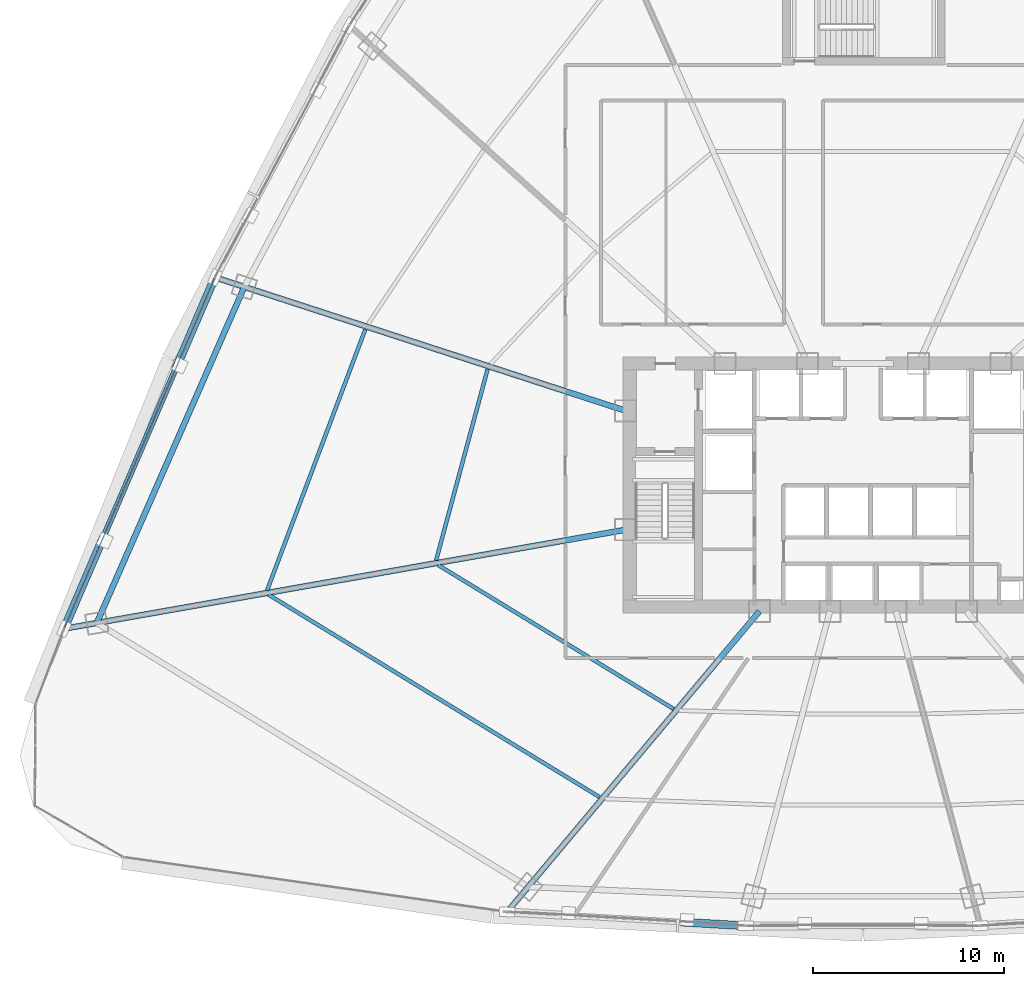
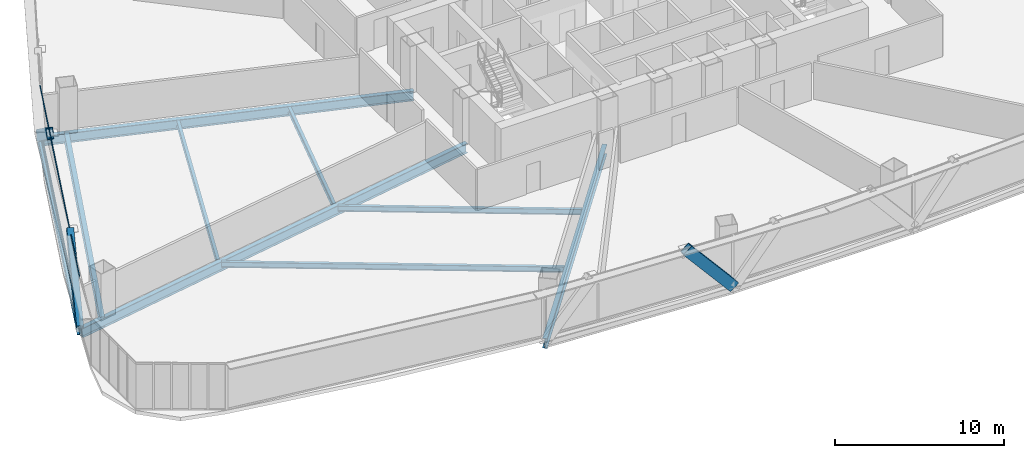
# One storey, part 7 of 42: 9 beams, 5 members, 1 element without a shape of its own.
"""IFC4 building model written with IfcOpenShell, lengths in metres."""

from ifc_helpers import new_model, si_unit, direction, frame, origin, origin_2d, place, context, subcontext, project, spatial, hollow_rectangle, i_section, extrude, source, transform, mapped, material, layer, layer_set, material_profile, profile_set, type_object, element, aggregate, save


model = new_model("IFC4")

# Units and contexts
model_context = context("Model", 3, precision=1e-05, world=origin(), true_north=direction((0.0, 1.0)))
body_context = subcontext(model_context, "Body", "Model", "MODEL_VIEW")
ifc_project = project(units=[si_unit("LENGTHUNIT", "METRE"), si_unit("AREAUNIT", "SQUARE_METRE"), si_unit("VOLUMEUNIT", "CUBIC_METRE"), si_unit("PLANEANGLEUNIT", "RADIAN"), si_unit("MASSUNIT", "GRAM", prefix="KILO"), si_unit("THERMODYNAMICTEMPERATUREUNIT", "KELVIN"), si_unit("POWERUNIT", "WATT")], contexts=[model_context])

# Site, building, storey
site_placement = place(None, origin())
site = spatial("IfcSite", under=ifc_project, at=site_placement, CompositionType="ELEMENT")
building_placement = place(site_placement, origin())
building = spatial("IfcBuilding", under=site, at=building_placement, Name="Yunzhuo Pagoda Commons", CompositionType="ELEMENT")
storey_placement = place(building_placement, frame((0.0, 0.0, 48.550048828125)))
storey = spatial("IfcBuildingStorey", under=building, at=storey_placement, Name="L12", CompositionType="ELEMENT", Elevation=48.550048828125)

# Beams
ifc_material_1 = material(Name="Structural steel Q355B", Category="steel")
ifc_material_profile_1 = material_profile(ifc_material_1, i_section(OverallWidth=0.300048828125, OverallDepth=0.699951171875, WebThickness=0.012939453125, FlangeThickness=0.02392578125, at=origin_2d()), Name="Structural steel Q355B")
ifc_profile_set_1 = profile_set([ifc_material_profile_1], Name="Structural steel Q355B")
beam_type_1 = type_object("IfcBeamType", Name="B-RG1 Beam HN 700x300x13x24", PredefinedType="BEAM", material=ifc_profile_set_1)
shared_shape_1 = source(origin(), body_context, "Body", "SweptSolid", [
    extrude(i_section(OverallWidth=0.300048828125, OverallDepth=0.699951171875, WebThickness=0.012939453125, FlangeThickness=0.02392578125, at=origin_2d()), origin(), (0.0, 0.0, 1.0), 19.18603515625),
])
beam_1_placement = place(storey_placement, frame((15.66455078125, 44.206298828125, -0.610107421875), z_axis=(-0.40196534204, -0.915654882474, 0.0), x_axis=(0.915654882474, -0.40196534204, 0.0)))
element("IfcBeam", 1, at=beam_1_placement, inside=storey, type_object=beam_type_1, Name="L12 column-ring beam 11", PredefinedType="BEAM", context=body_context, shape_type="MappedRepresentation", body=[
    mapped(shared_shape_1, transform((0.0, 0.0, 0.0), scale=1.0)),
])
ifc_material_profile_2 = material_profile(ifc_material_1, i_section(OverallWidth=0.199951171875, OverallDepth=0.39990234375, WebThickness=0.008056640625, FlangeThickness=0.012939453125, at=origin_2d()), Name="Structural steel Q355B")
ifc_profile_set_2 = profile_set([ifc_material_profile_2], Name="Structural steel Q355B")
beam_type_2 = type_object("IfcBeamType", Name="B-JS1 Joist HN 400x200x8x13", PredefinedType="JOIST", material=ifc_profile_set_2)
shared_shape_2 = source(origin(), body_context, "Body", "SweptSolid", [
    extrude(i_section(OverallWidth=0.199951171875, OverallDepth=0.39990234375, WebThickness=0.008056640625, FlangeThickness=0.012939453125, at=origin_2d()), origin(), (0.0, 0.0, 1.0), 14.4365234375),
])
beam_2_placement = place(storey_placement, frame((25.782470703125, 29.675537109375, -0.4599609375), z_axis=(0.85325633277, -0.521491735876, 0.0), x_axis=(0.521491735876, 0.85325633277, 0.0)))
element("IfcBeam", 2, at=beam_2_placement, inside=storey, type_object=beam_type_2, Name="L12 composite ring joist 1.12", PredefinedType="JOIST", context=body_context, shape_type="MappedRepresentation", body=[
    mapped(shared_shape_2, transform((0.0, 0.0, 0.0), scale=1.0)),
])
shared_shape_3 = source(origin(), body_context, "Body", "SweptSolid", [
    extrude(i_section(OverallWidth=0.199951171875, OverallDepth=0.39990234375, WebThickness=0.008056640625, FlangeThickness=0.012939453125, at=origin_2d()), origin(), (0.0, 0.0, 1.0), 20.275634765625),
])
beam_3_placement = place(storey_placement, frame((16.935302734375, 28.11572265625, -0.4599609375), z_axis=(0.853102898066, -0.521742700295, 0.0), x_axis=(0.521742700295, 0.853102898066, 0.0)))
element("IfcBeam", 3, at=beam_3_placement, inside=storey, type_object=beam_type_2, Name="L12 composite ring joist 2.12", PredefinedType="JOIST", context=body_context, shape_type="MappedRepresentation", body=[
    mapped(shared_shape_3, transform((0.0, 0.0, 0.0), scale=1.0)),
])
shared_shape_4 = source(origin(), body_context, "Body", "SweptSolid", [
    extrude(i_section(OverallWidth=0.199951171875, OverallDepth=0.39990234375, WebThickness=0.008056640625, FlangeThickness=0.012939453125, at=origin_2d()), origin(), (0.0, 0.0, 1.0), 10.351806640625),
])
beam_4_placement = place(storey_placement, frame((28.3818359375, 39.9072265625, -0.4599609375), z_axis=(-0.260208595802, -0.965552425646, 0.0), x_axis=(0.965552425646, -0.260208595802, 0.0)))
element("IfcBeam", 4, at=beam_4_placement, inside=storey, type_object=beam_type_2, Name="L12 composite ring joist 1.11", PredefinedType="JOIST", context=body_context, shape_type="MappedRepresentation", body=[
    mapped(shared_shape_4, transform((0.0, 0.0, 0.0), scale=1.0)),
])
shared_shape_5 = source(origin(), body_context, "Body", "SweptSolid", [
    extrude(i_section(OverallWidth=0.199951171875, OverallDepth=0.39990234375, WebThickness=0.008056640625, FlangeThickness=0.012939453125, at=origin_2d()), origin(), (0.0, 0.0, 1.0), 14.571044921875),
])
beam_5_placement = place(storey_placement, frame((21.98779296875, 41.98486328125, -0.4599609375), z_axis=(-0.352208383632, -0.935921607027, 0.0), x_axis=(0.935921607027, -0.352208383632, 0.0)))
element("IfcBeam", 5, at=beam_5_placement, inside=storey, type_object=beam_type_2, Name="L12 composite ring joist 2.11", PredefinedType="JOIST", context=body_context, shape_type="MappedRepresentation", body=[
    mapped(shared_shape_5, transform((0.0, 0.0, 0.0), scale=1.0)),
])
shared_shape_6 = source(origin(), body_context, "Body", "SweptSolid", [
    extrude(i_section(OverallWidth=0.300048828125, OverallDepth=0.699951171875, WebThickness=0.012939453125, FlangeThickness=0.02392578125, at=origin_2d()), origin(), (0.0, 0.0, 1.0), 20.3623046875),
])
beam_6_placement = place(storey_placement, frame((29.499267578125, 11.651611328125, -0.610107421875), z_axis=(0.642788211009, 0.766043938549, 0.0), x_axis=(-0.766043938549, 0.642788211009, 0.0)))
element("IfcBeam", 6, at=beam_6_placement, inside=storey, type_object=beam_type_1, Name="L12 radial floor girder F1C1", PredefinedType="BEAM", context=body_context, shape_type="MappedRepresentation", body=[
    mapped(shared_shape_6, transform((0.0, 0.0, 0.0), scale=1.0)),
])
shared_shape_7 = source(origin(), body_context, "Body", "SweptSolid", [
    extrude(i_section(OverallWidth=0.300048828125, OverallDepth=0.699951171875, WebThickness=0.012939453125, FlangeThickness=0.02392578125, at=origin_2d()), origin(), (0.0, 0.0, 1.0), 29.657470703125),
])
beam_7_placement = place(storey_placement, frame((6.39306640625, 26.363525390625, -0.610107421875), z_axis=(0.984808244815, 0.173645388492, 0.0), x_axis=(-0.173645388492, 0.984808244815, 0.0)))
element("IfcBeam", 7, at=beam_7_placement, inside=storey, type_object=beam_type_1, Name="L12 radial floor girder F3C4", PredefinedType="BEAM", context=body_context, shape_type="MappedRepresentation", body=[
    mapped(shared_shape_7, transform((0.0, 0.0, 0.0), scale=1.0)),
])
shared_shape_8 = source(origin(), body_context, "Body", "SweptSolid", [
    extrude(i_section(OverallWidth=0.300048828125, OverallDepth=0.699951171875, WebThickness=0.012939453125, FlangeThickness=0.02392578125, at=origin_2d()), origin(), (0.0, 0.0, 1.0), 22.421875),
])
beam_8_placement = place(storey_placement, frame((14.275634765625, 44.65771484375, -0.610107421875), z_axis=(0.951056871076, -0.309015902469, 0.0), x_axis=(0.309015902469, 0.951056871076, 0.0)))
element("IfcBeam", 8, at=beam_8_placement, inside=storey, type_object=beam_type_1, Name="L12 radial floor girder F3C3", PredefinedType="BEAM", context=body_context, shape_type="MappedRepresentation", body=[
    mapped(shared_shape_8, transform((0.0, 0.0, 0.0), scale=1.0)),
])
ifc_material_profile_3 = material_profile(ifc_material_1, i_section(OverallWidth=0.300048828125, OverallDepth=0.488037109375, WebThickness=0.010986328125, FlangeThickness=0.01806640625, at=origin_2d()), Name="Structural steel Q355B")
ifc_profile_set_3 = profile_set([ifc_material_profile_3], Name="Structural steel Q355B")
beam_type_3 = type_object("IfcBeamType", Name="B-SP1 Beam HM 488x300x11x18", PredefinedType="BEAM", material=ifc_profile_set_3)
shared_shape_9 = source(origin(), body_context, "Body", "SweptSolid", [
    extrude(i_section(OverallWidth=0.300048828125, OverallDepth=0.488037109375, WebThickness=0.010986328125, FlangeThickness=0.01806640625, at=origin_2d()), origin(), (0.0, 0.0, 1.0), 19.99072265625),
])
beam_9_placement = place(storey_placement, frame((14.12841796875, 44.70556640625, -0.504150390625), z_axis=(-0.394566260797, -0.918867490904, 0.0), x_axis=(0.918867490904, -0.394566260797, 0.0)))
element("IfcBeam", 9, at=beam_9_placement, inside=storey, type_object=beam_type_3, Name="L12 facade edge spandrel beam F3.3", PredefinedType="BEAM", context=body_context, shape_type="MappedRepresentation", body=[
    mapped(shared_shape_9, transform((0.0, 0.0, 0.0), scale=1.0)),
])

# Members
ifc_material_2 = material(Name="Structural steel Q420B", Category="steel")
ifc_material_profile_4 = material_profile(ifc_material_2, hollow_rectangle(XDim=0.419921875, YDim=0.719970703125, WallThickness=0.028076171875, at=origin_2d()), Name="Structural steel Q420B")
ifc_profile_set_4 = profile_set([ifc_material_profile_4], Name="Structural steel Q420B")
member_type_1 = type_object("IfcMemberType", Name="M-DL1 Brace BOX 720x420x28", PredefinedType="BRACE", material=ifc_profile_set_4)
shared_shape_10 = source(origin(), body_context, "Body", "SweptSolid", [
    extrude(hollow_rectangle(XDim=0.419921875, YDim=0.719970703125, WallThickness=0.028076171875, at=origin_2d()), origin(), (0.0, 0.0, 1.0), 4.787841796875),
])
member_1_placement = place(storey_placement, frame((41.866943359375, 10.811279296875, -0.260009765625), z_axis=(-0.650975599794, 0.0376837669, 0.758162714847), x_axis=(-0.057791390819, -0.99832868092, 0.0)))
element("IfcMember", 10, at=member_1_placement, inside=storey, type_object=member_type_1, Name="L12 facade diamond brace F1.1R", PredefinedType="BRACE", context=body_context, shape_type="MappedRepresentation", body=[
    mapped(shared_shape_10, transform((0.0, 0.0, 0.0), scale=1.0)),
])
shared_shape_11 = source(origin(), body_context, "Body", "SweptSolid", [
    extrude(hollow_rectangle(XDim=0.419921875, YDim=0.719970703125, WallThickness=0.028076171875, at=origin_2d()), origin(), (0.0, 0.0, 1.0), 6.1767578125),
])
member_2_placement = place(storey_placement, frame((6.24072265625, 26.336669921875, -0.260009765625), z_axis=(0.319208164633, 0.743475182857, 0.587665551234), x_axis=(-0.918887102207, 0.394520586785, 0.0)))
element("IfcMember", 11, at=member_2_placement, inside=storey, type_object=member_type_1, Name="L12 facade diamond brace F3.3R", PredefinedType="BRACE", context=body_context, shape_type="MappedRepresentation", body=[
    mapped(shared_shape_11, transform((0.0, 0.0, 0.0), scale=1.0)),
])
shared_shape_12 = source(origin(), body_context, "Body", "SweptSolid", [
    extrude(hollow_rectangle(XDim=0.419921875, YDim=0.719970703125, WallThickness=0.028076171875, at=origin_2d()), origin(), (0.0, 0.0, 1.0), 6.177001953125),
])
member_3_placement = place(storey_placement, frame((14.12841796875, 44.70556640625, -0.260009765625), z_axis=(-0.319279158185, -0.743456420583, 0.587650720958), x_axis=(0.918851680961, -0.394603077023, 0.0)))
element("IfcMember", 12, at=member_3_placement, inside=storey, type_object=member_type_1, Name="L12 facade diamond brace F3.3L", PredefinedType="BRACE", context=body_context, shape_type="MappedRepresentation", body=[
    mapped(shared_shape_12, transform((0.0, 0.0, 0.0), scale=1.0)),
])

# Curtain wall, members
ifc_material_3 = material(Name="Anodized aluminium 6063-T6", Category="aluminium")
ifc_layer = layer(ifc_material_3, 0.1650390625)
ifc_layer_set = layer_set([ifc_layer], Name="Anodized aluminium 6063-T6")
curtain_wall_type = type_object("IfcCurtainWallType", Name="CW-LOW Low-Zone Ribbon Curtain Wall", PredefinedType="NOTDEFINED", material=ifc_layer_set)
curtain_wall_placement = place(storey_placement, origin())
curtain_wall = element("IfcCurtainWall", 13, at=curtain_wall_placement, inside=storey, type_object=curtain_wall_type, Name="L12 curtain wall CW-L12-F3B4", PredefinedType="NOTDEFINED")
ifc_material_profile_5 = material_profile(ifc_material_3, hollow_rectangle(XDim=0.06005859375, YDim=0.139892578125, WallThickness=0.00341796875, at=origin_2d()), Name="Anodized aluminium 6063-T6")
ifc_profile_set_5 = profile_set([ifc_material_profile_5], Name="Anodized aluminium 6063-T6")
member_type_2 = type_object("IfcMemberType", Name="CW-LOW-T Transom RHS 140x60x3.5", PredefinedType="USERDEFINED", material=ifc_profile_set_5)
shared_shape_13 = source(origin(), body_context, "Body", "SweptSolid", [
    extrude(hollow_rectangle(XDim=0.06005859375, YDim=0.139892578125, WallThickness=0.00341796875, at=origin_2d()), origin(), (0.0, 0.0, 1.0), 19.860595703125),
])
member_4_placement = place(storey_placement, frame((14.1025390625, 44.645751953125, 0.030029296875), z_axis=(-0.39457049988, -0.918865670611, 0.0), x_axis=(0.918865670611, -0.39457049988, 0.0)))
member_4 = element("IfcMember", 14, at=member_4_placement, type_object=member_type_2, Name="CW transom 1.1", ObjectType="TRANSOM", PredefinedType="USERDEFINED", context=body_context, shape_type="MappedRepresentation", body=[
    mapped(shared_shape_13, transform((0.0, 0.0, 0.0), scale=1.0)),
])
member_5_placement = place(storey_placement, frame((14.1025390625, 44.645751953125, 3.33984375), z_axis=(-0.39457049988, -0.918865670611, 0.0), x_axis=(0.918865670611, -0.39457049988, 0.0)))
member_5 = element("IfcMember", 15, at=member_5_placement, type_object=member_type_2, Name="CW transom 1.2", ObjectType="TRANSOM", PredefinedType="USERDEFINED", context=body_context, shape_type="MappedRepresentation", body=[
    mapped(shared_shape_13, transform((0.0, 0.0, 0.0), scale=1.0)),
])
aggregate(curtain_wall, [member_4, member_5])

save(model, "model.ifc")
